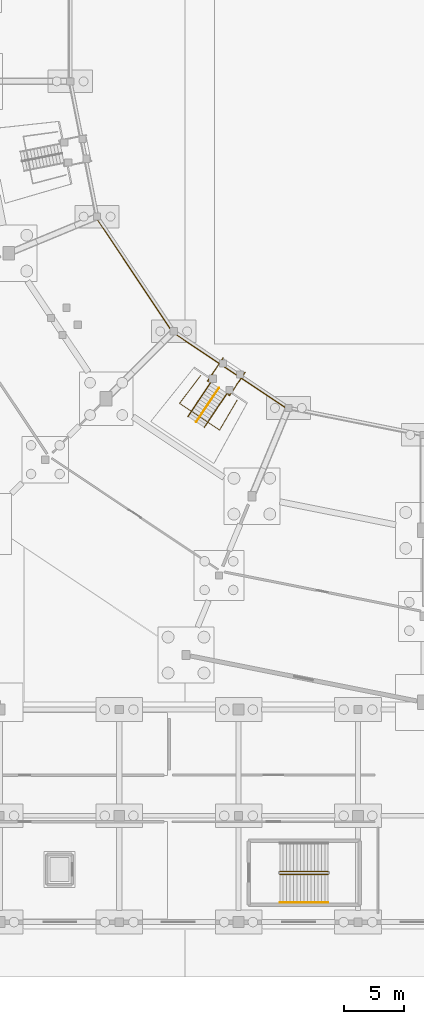
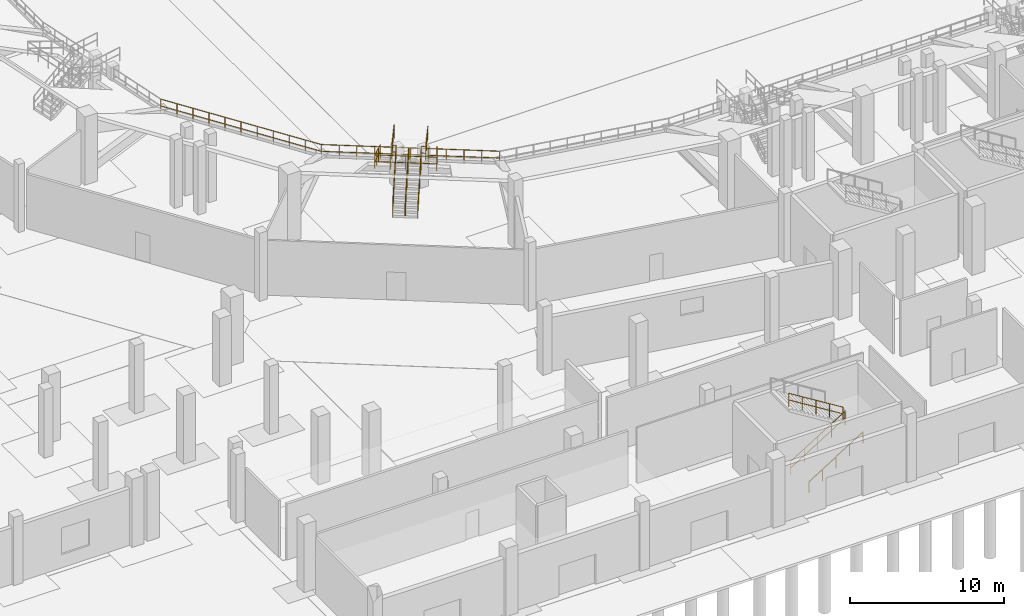
# One storey, part 48 of 68: 9 railings.
"""IFC4 building model written with IfcOpenShell, lengths in metres."""

from ifc_helpers import new_model, si_unit, direction, frame, origin, origin_2d, place, context, subcontext, project, spatial, circle, extrude, material, layer, layer_set, type_object, element, save


model = new_model("IFC4")

# Units and contexts
model_context = context("Model", 3, precision=1e-05, world=origin(), true_north=direction((0.0, 1.0)))
body_context = subcontext(model_context, "Body", "Model", "MODEL_VIEW")
ifc_project = project(units=[si_unit("LENGTHUNIT", "METRE"), si_unit("AREAUNIT", "SQUARE_METRE"), si_unit("VOLUMEUNIT", "CUBIC_METRE"), si_unit("PLANEANGLEUNIT", "RADIAN"), si_unit("MASSUNIT", "GRAM", prefix="KILO")], contexts=[model_context])

# Site, building, storey
site_placement = place(None, origin())
site = spatial("IfcSite", under=ifc_project, at=site_placement, CompositionType="ELEMENT")
building_placement = place(site_placement, origin())
building = spatial("IfcBuilding", under=site, at=building_placement, Name="Candeia Ridge Stadium", CompositionType="ELEMENT")
storey_placement = place(building_placement, origin())
storey = spatial("IfcBuildingStorey", under=building, at=storey_placement, Name="L00", CompositionType="ELEMENT", Elevation=0.0)

# Railings
ifc_material_1 = material(Name="Galvanized Powder-Coated Steel", Category="steel")
ifc_layer_1 = layer(ifc_material_1, 0.074951171875, Name="Galvanized Powder-Coated Steel", Category="steel")
ifc_layer_set_1 = layer_set([ifc_layer_1], Name="Galvanized Powder-Coated Steel")
railing_type_1 = type_object("IfcRailingType", Name="Spectator Bowl Front Guardrail 1120", PredefinedType="GUARDRAIL", material=ifc_layer_set_1)
railing_1_placement = place(storey_placement, frame((43.542236328125, 59.626708984375, 0.85009765625)))
element("IfcRailing", 1, at=railing_1_placement, inside=storey, type_object=railing_type_1, Name="Stand T1 front safety guardrail bay 16", PredefinedType="GUARDRAIL", context=body_context, shape_type="SweptSolid", body=[
    extrude(circle(Radius=0.02392578125, at=origin_2d()), frame((0.0, 0.0, 1.09619140625), z_axis=(0.555579272484, -0.831463572254, 0.0), x_axis=(0.831463572254, 0.555579272484, 0.0)), (0.0, 0.0, 1.0), 11.59619140625),
    extrude(circle(Radius=0.02392578125, at=origin_2d()), frame((0.0, 0.0, 0.56005859375), z_axis=(0.555579272484, -0.831463572254, 0.0), x_axis=(0.831463572254, 0.555579272484, 0.0)), (0.0, 0.0, 1.0), 11.59619140625),
    extrude(circle(Radius=0.02099609375, at=origin_2d()), origin(), (0.0, 0.0, 1.0), 1.072021484375),
    extrude(circle(Radius=0.02099609375, at=origin_2d()), frame((0.644287109375, -0.964111328125, 0.0)), (0.0, 0.0, 1.0), 1.072021484375),
    extrude(circle(Radius=0.02099609375, at=origin_2d()), frame((1.28857421875, -1.928466796875, 0.0)), (0.0, 0.0, 1.0), 1.072021484375),
    extrude(circle(Radius=0.02099609375, at=origin_2d()), frame((1.932861328125, -2.892578125, 0.0)), (0.0, 0.0, 1.0), 1.072021484375),
    extrude(circle(Radius=0.02099609375, at=origin_2d()), frame((2.5771484375, -3.856689453125, 0.0)), (0.0, 0.0, 1.0), 1.072021484375),
    extrude(circle(Radius=0.02099609375, at=origin_2d()), frame((3.22119140625, -4.82080078125, 0.0)), (0.0, 0.0, 1.0), 1.072021484375),
    extrude(circle(Radius=0.02099609375, at=origin_2d()), frame((3.865478515625, -5.78515625, 0.0)), (0.0, 0.0, 1.0), 1.072021484375),
    extrude(circle(Radius=0.02099609375, at=origin_2d()), frame((4.509765625, -6.749267578125, 0.0)), (0.0, 0.0, 1.0), 1.072021484375),
    extrude(circle(Radius=0.02099609375, at=origin_2d()), frame((5.154052734375, -7.71337890625, 0.0)), (0.0, 0.0, 1.0), 1.072021484375),
    extrude(circle(Radius=0.02099609375, at=origin_2d()), frame((5.79833984375, -8.677734375, 0.0)), (0.0, 0.0, 1.0), 1.072021484375),
    extrude(circle(Radius=0.02099609375, at=origin_2d()), frame((6.442626953125, -9.641845703125, 0.0)), (0.0, 0.0, 1.0), 1.072021484375),
])
railing_2_placement = place(storey_placement, frame((49.98486328125, 49.98486328125, 0.85009765625)))
element("IfcRailing", 2, at=railing_2_placement, inside=storey, type_object=railing_type_1, Name="Stand T1 front safety guardrail bay 17", PredefinedType="GUARDRAIL", context=body_context, shape_type="SweptSolid", body=[
    extrude(circle(Radius=0.02392578125, at=origin_2d()), frame((0.0, 0.0, 1.09619140625), z_axis=(0.831463572254, -0.555579272484, 0.0), x_axis=(0.555579272484, 0.831463572254, 0.0)), (0.0, 0.0, 1.0), 11.59619140625),
    extrude(circle(Radius=0.02392578125, at=origin_2d()), frame((0.0, 0.0, 0.56005859375), z_axis=(0.831463572254, -0.555579272484, 0.0), x_axis=(0.555579272484, 0.831463572254, 0.0)), (0.0, 0.0, 1.0), 11.59619140625),
    extrude(circle(Radius=0.02099609375, at=origin_2d()), origin(), (0.0, 0.0, 1.0), 1.072021484375),
    extrude(circle(Radius=0.02099609375, at=origin_2d()), frame((0.964111328125, -0.644287109375, 0.0)), (0.0, 0.0, 1.0), 1.072021484375),
    extrude(circle(Radius=0.02099609375, at=origin_2d()), frame((1.928466796875, -1.28857421875, 0.0)), (0.0, 0.0, 1.0), 1.072021484375),
    extrude(circle(Radius=0.02099609375, at=origin_2d()), frame((2.892578125, -1.932861328125, 0.0)), (0.0, 0.0, 1.0), 1.072021484375),
    extrude(circle(Radius=0.02099609375, at=origin_2d()), frame((3.856689453125, -2.5771484375, 0.0)), (0.0, 0.0, 1.0), 1.072021484375),
    extrude(circle(Radius=0.02099609375, at=origin_2d()), frame((4.82080078125, -3.22119140625, 0.0)), (0.0, 0.0, 1.0), 1.072021484375),
    extrude(circle(Radius=0.02099609375, at=origin_2d()), frame((5.78515625, -3.865478515625, 0.0)), (0.0, 0.0, 1.0), 1.072021484375),
    extrude(circle(Radius=0.02099609375, at=origin_2d()), frame((6.749267578125, -4.509765625, 0.0)), (0.0, 0.0, 1.0), 1.072021484375),
    extrude(circle(Radius=0.02099609375, at=origin_2d()), frame((7.71337890625, -5.154052734375, 0.0)), (0.0, 0.0, 1.0), 1.072021484375),
    extrude(circle(Radius=0.02099609375, at=origin_2d()), frame((8.677734375, -5.79833984375, 0.0)), (0.0, 0.0, 1.0), 1.072021484375),
    extrude(circle(Radius=0.02099609375, at=origin_2d()), frame((9.641845703125, -6.442626953125, 0.0)), (0.0, 0.0, 1.0), 1.072021484375),
])
ifc_material_2 = material(Name="Brushed Stainless Steel", Category="steel")
ifc_layer_2 = layer(ifc_material_2, 0.048095703125, Name="Brushed Stainless Steel", Category="steel")
ifc_layer_set_2 = layer_set([ifc_layer_2], Name="Brushed Stainless Steel")
railing_type_2 = type_object("IfcRailingType", Name="Stair Wall & Flight Handrail 900", PredefinedType="HANDRAIL", material=ifc_layer_set_2)
railing_3_placement = place(storey_placement, frame((58.949951171875, 2.25, 0.179931640625)))
element("IfcRailing", 3, at=railing_3_placement, inside=storey, type_object=railing_type_2, Name="L00 ST13 stair handrail 1", PredefinedType="HANDRAIL", context=body_context, shape_type="SweptSolid", body=[
    extrude(circle(Radius=0.02392578125, at=origin_2d()), frame((0.0, 0.0, 0.8759765625), z_axis=(0.849641744969, 0.0, 0.527360318194), x_axis=(0.0, 1.0, 0.0)), (0.0, 0.0, 1.0), 4.778564453125),
    extrude(circle(Radius=0.02099609375, at=origin_2d()), origin(), (0.0, 0.0, 1.0), 0.851806640625),
    extrude(circle(Radius=0.02099609375, at=origin_2d()), frame((1.01513671875, 0.0, 0.6298828125)), (0.0, 0.0, 1.0), 0.851806640625),
    extrude(circle(Radius=0.02099609375, at=origin_2d()), frame((2.030029296875, 0.0, 1.260009765625)), (0.0, 0.0, 1.0), 0.851806640625),
    extrude(circle(Radius=0.02099609375, at=origin_2d()), frame((3.044921875, 0.0, 1.89013671875)), (0.0, 0.0, 1.0), 0.851806640625),
    extrude(circle(Radius=0.02099609375, at=origin_2d()), frame((4.06005859375, 0.0, 2.52001953125)), (0.0, 0.0, 1.0), 0.851806640625),
])
railing_4_placement = place(storey_placement, frame((51.950927734375, 42.4912109375, 0.17236328125)))
element("IfcRailing", 4, at=railing_4_placement, inside=storey, type_object=railing_type_2, Name="Vomitory stair handrail VS09", PredefinedType="HANDRAIL", context=body_context, shape_type="SweptSolid", body=[
    extrude(circle(Radius=0.02392578125, at=origin_2d()), frame((0.0, 0.0, 0.8759765625), z_axis=(0.475465276115, 0.71151793279, 0.517373175307), x_axis=(-0.831445756164, 0.555605934595, 0.0)), (0.0, 0.0, 1.0), 3.996337890625),
    extrude(circle(Radius=0.02099609375, at=origin_2d()), origin(), (0.0, 0.0, 1.0), 0.851806640625),
    extrude(circle(Radius=0.02099609375, at=origin_2d()), frame((0.47509765625, 0.7109375, 0.516845703125)), (0.0, 0.0, 1.0), 0.851806640625),
    extrude(circle(Radius=0.02099609375, at=origin_2d()), frame((0.9501953125, 1.421875, 1.03369140625)), (0.0, 0.0, 1.0), 0.851806640625),
    extrude(circle(Radius=0.02099609375, at=origin_2d()), frame((1.425048828125, 2.132568359375, 1.55078125)), (0.0, 0.0, 1.0), 0.851806640625),
    extrude(circle(Radius=0.02099609375, at=origin_2d()), frame((1.900146484375, 2.843505859375, 2.067626953125)), (0.0, 0.0, 1.0), 0.851806640625),
])
ifc_layer_3 = layer(ifc_material_1, 0.06005859375, Name="Galvanized Powder-Coated Steel", Category="steel")
ifc_layer_set_3 = layer_set([ifc_layer_3], Name="Galvanized Powder-Coated Steel")
railing_type_3 = type_object("IfcRailingType", Name="Stair Well Guardrail 1100", PredefinedType="GUARDRAIL", material=ifc_layer_set_3)
railing_5_placement = place(storey_placement, frame((58.949951171875, 4.60009765625, 0.179931640625)))
element("IfcRailing", 5, at=railing_5_placement, inside=storey, type_object=railing_type_3, Name="L00 ST13 stair guard 1", PredefinedType="GUARDRAIL", context=body_context, shape_type="SweptSolid", body=[
    extrude(circle(Radius=0.02392578125, at=origin_2d()), frame((0.0, 0.0, 1.076171875), z_axis=(0.849641744969, 0.0, 0.527360318194), x_axis=(0.0, 1.0, 0.0)), (0.0, 0.0, 1.0), 4.778564453125),
    extrude(circle(Radius=0.02392578125, at=origin_2d()), frame((0.0, 0.0, 0.550048828125), z_axis=(0.849641744969, 0.0, 0.527360318194), x_axis=(0.0, 1.0, 0.0)), (0.0, 0.0, 1.0), 4.778564453125),
    extrude(circle(Radius=0.02099609375, at=origin_2d()), origin(), (0.0, 0.0, 1.0), 1.052001953125),
    extrude(circle(Radius=0.02099609375, at=origin_2d()), frame((1.01513671875, 0.0, 0.6298828125)), (0.0, 0.0, 1.0), 1.052001953125),
    extrude(circle(Radius=0.02099609375, at=origin_2d()), frame((2.030029296875, 0.0, 1.260009765625)), (0.0, 0.0, 1.0), 1.052001953125),
    extrude(circle(Radius=0.02099609375, at=origin_2d()), frame((3.044921875, 0.0, 1.89013671875)), (0.0, 0.0, 1.0), 1.052001953125),
    extrude(circle(Radius=0.02099609375, at=origin_2d()), frame((4.06005859375, 0.0, 2.52001953125)), (0.0, 0.0, 1.0), 1.052001953125),
])
railing_6_placement = place(storey_placement, frame((63.010009765625, 4.85009765625, 2.8798828125)))
element("IfcRailing", 6, at=railing_6_placement, inside=storey, type_object=railing_type_3, Name="L00 ST13 stair guard 3", PredefinedType="GUARDRAIL", context=body_context, shape_type="SweptSolid", body=[
    extrude(circle(Radius=0.02392578125, at=origin_2d()), frame((0.0, 0.0, 1.076171875), z_axis=(-0.849641744969, 0.0, 0.527360318194), x_axis=(0.0, -1.0, 0.0)), (0.0, 0.0, 1.0), 4.778564453125),
    extrude(circle(Radius=0.02392578125, at=origin_2d()), frame((0.0, 0.0, 0.550048828125), z_axis=(-0.849641744969, 0.0, 0.527360318194), x_axis=(0.0, -1.0, 0.0)), (0.0, 0.0, 1.0), 4.778564453125),
    extrude(circle(Radius=0.02099609375, at=origin_2d()), origin(), (0.0, 0.0, 1.0), 1.052001953125),
    extrude(circle(Radius=0.02099609375, at=origin_2d()), frame((-1.01513671875, 0.0, 0.6298828125)), (0.0, 0.0, 1.0), 1.052001953125),
    extrude(circle(Radius=0.02099609375, at=origin_2d()), frame((-2.030029296875, 0.0, 1.260009765625)), (0.0, 0.0, 1.0), 1.052001953125),
    extrude(circle(Radius=0.02099609375, at=origin_2d()), frame((-3.044921875, 0.0, 1.89013671875)), (0.0, 0.0, 1.0), 1.052001953125),
    extrude(circle(Radius=0.02099609375, at=origin_2d()), frame((-4.06005859375, 0.0, 2.52001953125)), (0.0, 0.0, 1.0), 1.052001953125),
])
ifc_layer_4 = layer(ifc_material_1, 0.070068359375, Name="Galvanized Powder-Coated Steel", Category="steel")
ifc_layer_set_4 = layer_set([ifc_layer_4], Name="Galvanized Powder-Coated Steel")
railing_type_4 = type_object("IfcRailingType", Name="Vomitory Portal Guardrail 1100", PredefinedType="GUARDRAIL", material=ifc_layer_set_4)
railing_7_placement = place(storey_placement, frame((52.319580078125, 46.358154296875, 2.239990234375)))
element("IfcRailing", 7, at=railing_7_placement, inside=storey, type_object=railing_type_4, Name="Vomitory portal guardrail VS09", PredefinedType="GUARDRAIL", context=body_context, shape_type="SweptSolid", body=[
    extrude(circle(Radius=0.02392578125, at=origin_2d()), frame((0.0, 0.0, 1.076171875), z_axis=(-0.557581629409, -0.735549676542, 0.384797868866), x_axis=(0.796911143855, -0.604096539304, 0.0)), (0.0, 0.0, 1.0), 3.1552734375),
    extrude(circle(Radius=0.02392578125, at=origin_2d()), frame((0.0, 0.0, 0.550048828125), z_axis=(-0.557581629409, -0.735549676542, 0.384797868866), x_axis=(0.796911143855, -0.604096539304, 0.0)), (0.0, 0.0, 1.0), 3.1552734375),
    extrude(circle(Radius=0.02392578125, at=origin_2d()), frame((-1.75927734375, -2.32080078125, 2.2900390625), z_axis=(0.831490773536, -0.55553856169, 0.0), x_axis=(0.55553856169, 0.831490773536, 0.0)), (0.0, 0.0, 1.0), 4.03076171875),
    extrude(circle(Radius=0.02392578125, at=origin_2d()), frame((-1.75927734375, -2.32080078125, 1.76416015625), z_axis=(0.831490773536, -0.55553856169, 0.0), x_axis=(0.55553856169, 0.831490773536, 0.0)), (0.0, 0.0, 1.0), 4.03076171875),
    extrude(circle(Radius=0.02392578125, at=origin_2d()), frame((1.59228515625, -4.56005859375, 2.2900390625), z_axis=(0.466142280989, 0.796635920117, -0.384815000558), x_axis=(-0.863100039607, 0.505032990636, 0.0)), (0.0, 0.0, 1.0), 3.155029296875),
    extrude(circle(Radius=0.02392578125, at=origin_2d()), frame((1.59228515625, -4.56005859375, 1.76416015625), z_axis=(0.466142280989, 0.796635920117, -0.384815000558), x_axis=(-0.863100039607, 0.505032990636, 0.0)), (0.0, 0.0, 1.0), 3.155029296875),
    extrude(circle(Radius=0.02099609375, at=origin_2d()), origin(), (0.0, 0.0, 1.0), 1.052001953125),
    extrude(circle(Radius=0.02099609375, at=origin_2d()), frame((-0.58642578125, -0.773681640625, 0.40478515625)), (0.0, 0.0, 1.0), 1.052001953125),
    extrude(circle(Radius=0.02099609375, at=origin_2d()), frame((-1.1728515625, -1.547119140625, 0.809326171875)), (0.0, 0.0, 1.0), 1.052001953125),
    extrude(circle(Radius=0.02099609375, at=origin_2d()), frame((-1.75927734375, -2.32080078125, 1.214111328125)), (0.0, 0.0, 1.0), 1.052001953125),
    extrude(circle(Radius=0.02099609375, at=origin_2d()), frame((-0.92138671875, -2.880615234375, 1.214111328125)), (0.0, 0.0, 1.0), 1.052001953125),
    extrude(circle(Radius=0.02099609375, at=origin_2d()), frame((-0.08349609375, -3.4404296875, 1.214111328125)), (0.0, 0.0, 1.0), 1.052001953125),
    extrude(circle(Radius=0.02099609375, at=origin_2d()), frame((0.75439453125, -4.000244140625, 1.214111328125)), (0.0, 0.0, 1.0), 1.052001953125),
    extrude(circle(Radius=0.02099609375, at=origin_2d()), frame((1.59228515625, -4.56005859375, 1.214111328125)), (0.0, 0.0, 1.0), 1.052001953125),
    extrude(circle(Radius=0.02099609375, at=origin_2d()), frame((2.08251953125, -3.72216796875, 0.809326171875)), (0.0, 0.0, 1.0), 1.052001953125),
    extrude(circle(Radius=0.02099609375, at=origin_2d()), frame((2.57275390625, -2.884521484375, 0.40478515625)), (0.0, 0.0, 1.0), 1.052001953125),
    extrude(circle(Radius=0.02099609375, at=origin_2d()), frame((3.06298828125, -2.046630859375, 0.0)), (0.0, 0.0, 1.0), 1.052001953125),
])
railing_8_placement = place(storey_placement, frame((51.269287109375, 42.94677734375, 0.0)))
element("IfcRailing", 8, at=railing_8_placement, inside=storey, type_object=railing_type_4, Name="Vomitory stair & landing side guardrail VS09-L", PredefinedType="GUARDRAIL", context=body_context, shape_type="SweptSolid", body=[
    extrude(circle(Radius=0.02392578125, at=origin_2d()), frame((0.0, 0.0, 1.076171875), z_axis=(0.464737620723, 0.695553722509, 0.547926968663), x_axis=(-0.831478733729, 0.555556581598, 0.0)), (0.0, 0.0, 1.0), 4.088134765625),
    extrude(circle(Radius=0.02392578125, at=origin_2d()), frame((0.0, 0.0, 0.550048828125), z_axis=(0.464737620723, 0.695553722509, 0.547926968663), x_axis=(-0.831478733729, 0.555556581598, 0.0)), (0.0, 0.0, 1.0), 4.088134765625),
    extrude(circle(Radius=0.02392578125, at=origin_2d()), frame((1.89990234375, 2.843505859375, 3.31591796875), z_axis=(-0.901563480577, 0.432646842691, 0.0), x_axis=(-0.432646842691, -0.901563480577, 0.0)), (0.0, 0.0, 1.0), 0.28271484375),
    extrude(circle(Radius=0.02392578125, at=origin_2d()), frame((1.89990234375, 2.843505859375, 2.7900390625), z_axis=(-0.901563480577, 0.432646842691, 0.0), x_axis=(-0.432646842691, -0.901563480577, 0.0)), (0.0, 0.0, 1.0), 0.28271484375),
    extrude(circle(Radius=0.02392578125, at=origin_2d()), frame((1.64501953125, 2.9658203125, 3.31591796875), z_axis=(0.555501294523, 0.8315156714, 0.0), x_axis=(-0.8315156714, 0.555501294523, 0.0)), (0.0, 0.0, 1.0), 2.320068359375),
    extrude(circle(Radius=0.02392578125, at=origin_2d()), frame((1.64501953125, 2.9658203125, 2.7900390625), z_axis=(0.555501294523, 0.8315156714, 0.0), x_axis=(-0.8315156714, 0.555501294523, 0.0)), (0.0, 0.0, 1.0), 2.320068359375),
    extrude(circle(Radius=0.02099609375, at=origin_2d()), origin(), (0.0, 0.0, 1.0), 1.052001953125),
    extrude(circle(Radius=0.02099609375, at=origin_2d()), frame((0.47509765625, 0.7109375, 0.56005859375)), (0.0, 0.0, 1.0), 1.052001953125),
    extrude(circle(Radius=0.02099609375, at=origin_2d()), frame((0.949951171875, 1.421875, 1.1201171875)), (0.0, 0.0, 1.0), 1.052001953125),
    extrude(circle(Radius=0.02099609375, at=origin_2d()), frame((1.4248046875, 2.132568359375, 1.679931640625)), (0.0, 0.0, 1.0), 1.052001953125),
    extrude(circle(Radius=0.02099609375, at=origin_2d()), frame((1.89990234375, 2.843505859375, 2.239990234375)), (0.0, 0.0, 1.0), 1.052001953125),
    extrude(circle(Radius=0.02099609375, at=origin_2d()), frame((1.64501953125, 2.9658203125, 2.239990234375)), (0.0, 0.0, 1.0), 1.052001953125),
    extrude(circle(Radius=0.02099609375, at=origin_2d()), frame((2.28955078125, 3.930419921875, 2.239990234375)), (0.0, 0.0, 1.0), 1.052001953125),
    extrude(circle(Radius=0.02099609375, at=origin_2d()), frame((2.933837890625, 4.89501953125, 2.239990234375)), (0.0, 0.0, 1.0), 1.052001953125),
])
railing_9_placement = place(storey_placement, frame((52.6328125, 42.03564453125, 0.0)))
element("IfcRailing", 9, at=railing_9_placement, inside=storey, type_object=railing_type_4, Name="Vomitory stair & landing side guardrail VS09-R", PredefinedType="GUARDRAIL", context=body_context, shape_type="SweptSolid", body=[
    extrude(circle(Radius=0.02392578125, at=origin_2d()), frame((0.0, 0.0, 1.076171875), z_axis=(0.464784440041, 0.695534417725, 0.547911761194), x_axis=(-0.831445756164, 0.555605934595, 0.0)), (0.0, 0.0, 1.0), 4.088134765625),
    extrude(circle(Radius=0.02392578125, at=origin_2d()), frame((0.0, 0.0, 0.550048828125), z_axis=(0.464784440041, 0.695534417725, 0.547911761194), x_axis=(-0.831445756164, 0.555605934595, 0.0)), (0.0, 0.0, 1.0), 4.088134765625),
    extrude(circle(Radius=0.02392578125, at=origin_2d()), frame((1.900146484375, 2.843505859375, 3.31591796875), z_axis=(0.744495422298, -0.667627565471, 0.0), x_axis=(0.667627565471, 0.744495422298, 0.0)), (0.0, 0.0, 1.0), 0.28271484375),
    extrude(circle(Radius=0.02392578125, at=origin_2d()), frame((1.900146484375, 2.843505859375, 2.7900390625), z_axis=(0.744495422298, -0.667627565471, 0.0), x_axis=(0.667627565471, 0.744495422298, 0.0)), (0.0, 0.0, 1.0), 0.28271484375),
    extrude(circle(Radius=0.02392578125, at=origin_2d()), frame((2.110595703125, 2.65478515625, 3.31591796875), z_axis=(0.55562265494, 0.831434582705, 0.0), x_axis=(-0.831434582705, 0.55562265494, 0.0)), (0.0, 0.0, 1.0), 2.320068359375),
    extrude(circle(Radius=0.02392578125, at=origin_2d()), frame((2.110595703125, 2.65478515625, 2.7900390625), z_axis=(0.55562265494, 0.831434582705, 0.0), x_axis=(-0.831434582705, 0.55562265494, 0.0)), (0.0, 0.0, 1.0), 2.320068359375),
    extrude(circle(Radius=0.02099609375, at=origin_2d()), origin(), (0.0, 0.0, 1.0), 1.052001953125),
    extrude(circle(Radius=0.02099609375, at=origin_2d()), frame((0.47509765625, 0.7109375, 0.56005859375)), (0.0, 0.0, 1.0), 1.052001953125),
    extrude(circle(Radius=0.02099609375, at=origin_2d()), frame((0.9501953125, 1.421875, 1.1201171875)), (0.0, 0.0, 1.0), 1.052001953125),
    extrude(circle(Radius=0.02099609375, at=origin_2d()), frame((1.425048828125, 2.132568359375, 1.679931640625)), (0.0, 0.0, 1.0), 1.052001953125),
    extrude(circle(Radius=0.02099609375, at=origin_2d()), frame((1.900146484375, 2.843505859375, 2.239990234375)), (0.0, 0.0, 1.0), 1.052001953125),
    extrude(circle(Radius=0.02099609375, at=origin_2d()), frame((2.110595703125, 2.65478515625, 2.239990234375)), (0.0, 0.0, 1.0), 1.052001953125),
    extrude(circle(Radius=0.02099609375, at=origin_2d()), frame((2.755126953125, 3.619140625, 2.239990234375)), (0.0, 0.0, 1.0), 1.052001953125),
    extrude(circle(Radius=0.02099609375, at=origin_2d()), frame((3.399658203125, 4.583740234375, 2.239990234375)), (0.0, 0.0, 1.0), 1.052001953125),
])

save(model, "model.ifc")
